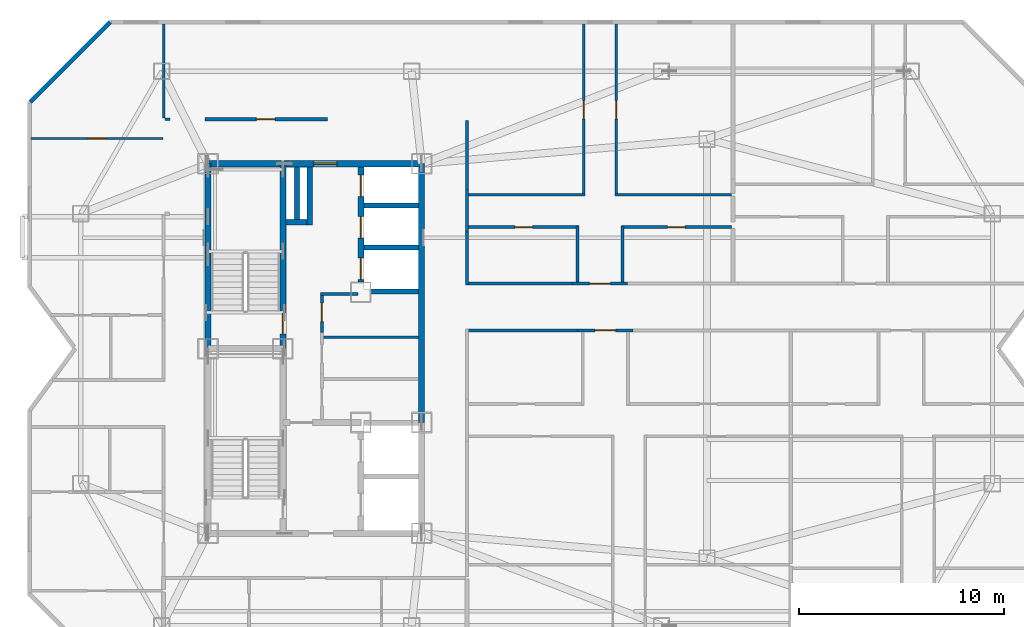
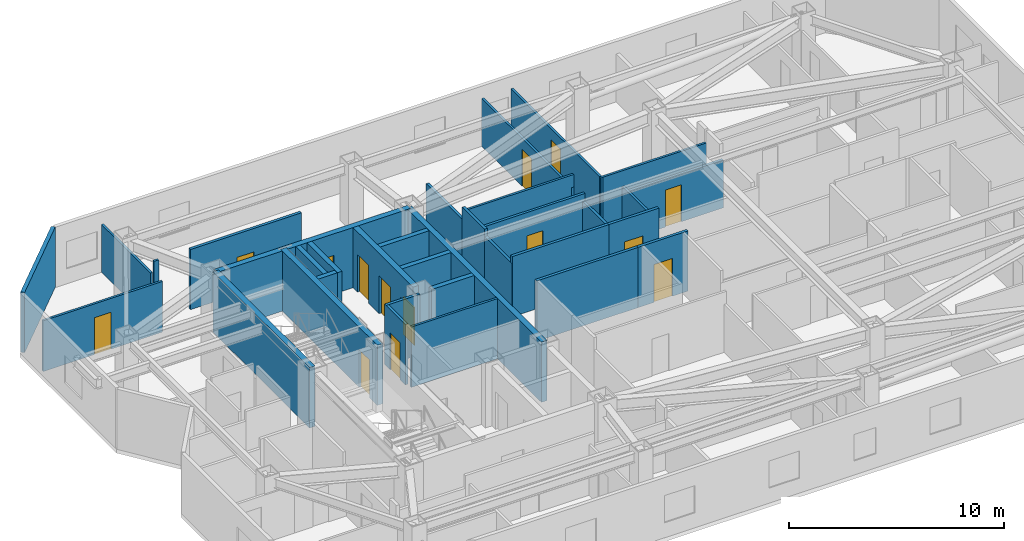
# One storey, part 6 of 9: 34 walls, 14 doors, 14 openings.
"""IFC4 building model written with IfcOpenShell, lengths in metres."""

from ifc_helpers import new_model, si_unit, direction, frame, frame_2d, origin, place, context, subcontext, project, spatial, rectangle, extrude, material, layer, layer_set, type_object, element, fill, save


model = new_model("IFC4")

# Units and contexts
model_context = context("Model", 3, precision=1e-05, world=origin(), true_north=direction((0.0, 1.0)))
body_context = subcontext(model_context, "Body", "Model", "MODEL_VIEW")
ifc_project = project(units=[si_unit("LENGTHUNIT", "METRE"), si_unit("AREAUNIT", "SQUARE_METRE"), si_unit("VOLUMEUNIT", "CUBIC_METRE"), si_unit("PLANEANGLEUNIT", "RADIAN"), si_unit("MASSUNIT", "GRAM", prefix="KILO")], contexts=[model_context])

# Site, building, storey
site_placement = place(None, origin())
site = spatial("IfcSite", under=ifc_project, at=site_placement, CompositionType="ELEMENT")
building_placement = place(site_placement, origin())
building = spatial("IfcBuilding", under=site, at=building_placement, Name="Khamvora Tower", CompositionType="ELEMENT")
storey_placement = place(building_placement, frame((0.0, 0.0, 235.449951171875)))
storey = spatial("IfcBuildingStorey", under=building, at=storey_placement, Name="L60", CompositionType="ELEMENT", Elevation=235.449951171875)

# Wall
ifc_material_1 = material(Name="Concrete C50/60", Category="concrete")
ifc_layer_1 = layer(ifc_material_1, 0.300048828125)
ifc_layer_set_1 = layer_set([ifc_layer_1], Name="Concrete C50/60")
wall_type_1 = type_object("IfcWallType", Name="WAL-CORE-300", PredefinedType="SHEAR", material=ifc_layer_set_1)
wall_1_placement = place(storey_placement, frame((29.0, 28.0, 0.0), z_axis=(0.0, 0.0, 1.0), x_axis=(0.0, 1.0, 0.0)))
element("IfcWall", 1, at=wall_1_placement, inside=storey, type_object=wall_type_1, Name="L60 central core west north wall", PredefinedType="SHEAR", context=body_context, shape_type="SweptSolid", body=[
    extrude(rectangle(XDim=9.0, YDim=0.300048828125, at=frame_2d((4.5, 0.0))), origin(), (0.0, 0.0, 1.0), 3.429931640625),
])

# Wall, opening, door
wall_2_placement = place(storey_placement, frame((29.0, 37.0, 0.0), z_axis=(0.0, 0.0, 1.0), x_axis=(1.0, 0.0, 0.0)))
wall_2 = element("IfcWall", 2, at=wall_2_placement, inside=storey, type_object=wall_type_1, Name="L60 central core north wall", PredefinedType="SHEAR", context=body_context, shape_type="SweptSolid", body=[
    extrude(rectangle(XDim=10.39990234375, YDim=0.300048828125, at=frame_2d((5.199951171875, 0.0))), origin(), (0.0, 0.0, 1.0), 3.429931640625),
])
opening_1_placement = place(wall_2_placement, frame((5.139892578125, 0.0, 0.0)))
opening_1 = element("IfcOpeningElement", 3, at=opening_1_placement, cuts=wall_2, Name="Opening D-SC1", PredefinedType="OPENING", context=body_context, shape_type="SweptSolid", body=[
    extrude(rectangle(XDim=1.14990234375, YDim=2.199951171875, at=frame_2d((0.574951171875, 1.10009765625))), frame((0.0, 0.159912109375, 0.0), z_axis=(0.0, -1.0, 0.0), x_axis=(1.0, 0.0, 0.0)), (0.0, 0.0, 1.0), 0.320068359375),
])
ifc_material_2 = material(Name="Powder-Coated Steel and Hardwood Leaf", Category="steel")
door_type_1 = type_object("IfcDoorType", Name="DOR-SCHL-1150", OperationType="NOTDEFINED", PredefinedType="DOOR", material=ifc_material_2)
door_1_placement = place(opening_1_placement, origin())
door_1 = element("IfcDoor", 4, at=door_1_placement, inside=storey, type_object=door_type_1, Name="L60 north core lobby to corridor fire door", OperationType="SINGLE_SWING_LEFT", OverallHeight=2.199951171875, OverallWidth=1.14990234375, PredefinedType="DOOR", context=body_context, shape_type="SweptSolid", body=[
    extrude(rectangle(XDim=1.14990234375, YDim=2.199951171875, at=frame_2d((0.574951171875, 1.10009765625))), frame((0.0, 0.02490234375, 0.0), z_axis=(0.0, -1.0, 0.0), x_axis=(1.0, 0.0, 0.0)), (0.0, 0.0, 1.0), 0.050048828125),
])
fill(opening_1, door_1)

# Wall
wall_3_placement = place(storey_placement, frame((39.39990234375, 24.39990234375, 0.0), z_axis=(0.0, 0.0, 1.0), x_axis=(0.0, 1.0, 0.0)))
element("IfcWall", 5, at=wall_3_placement, inside=storey, type_object=wall_type_1, Name="L60 central core east north wall", PredefinedType="SHEAR", context=body_context, shape_type="SweptSolid", body=[
    extrude(rectangle(XDim=12.60009765625, YDim=0.300048828125, at=frame_2d((6.300048828125, 0.0))), origin(), (0.0, 0.0, 1.0), 3.429931640625),
])

# Wall, opening, door
wall_4_placement = place(storey_placement, frame((32.64990234375, 28.0, 0.0), z_axis=(0.0, 0.0, 1.0), x_axis=(0.0, 1.0, 0.0)))
wall_4 = element("IfcWall", 6, at=wall_4_placement, inside=storey, type_object=wall_type_1, Name="L60 central core stair north spine wall", PredefinedType="SHEAR", context=body_context, shape_type="SweptSolid", body=[
    extrude(rectangle(XDim=9.0, YDim=0.300048828125, at=frame_2d((4.5, 0.0))), origin(), (0.0, 0.0, 1.0), 3.429931640625),
])
opening_2_placement = place(wall_4_placement, frame((0.719970703125, 0.0, 0.0)))
opening_2 = element("IfcOpeningElement", 7, at=opening_2_placement, cuts=wall_4, Name="Opening D-ST1", PredefinedType="OPENING", context=body_context, shape_type="SweptSolid", body=[
    extrude(rectangle(XDim=1.0, YDim=2.14990234375, at=frame_2d((0.5, 1.074951171875))), frame((0.0, 0.159912109375, 0.0), z_axis=(0.0, -1.0, 0.0), x_axis=(1.0, 0.0, 0.0)), (0.0, 0.0, 1.0), 0.320068359375),
])
door_type_2 = type_object("IfcDoorType", Name="DOR-STAIR-1000", OperationType="NOTDEFINED", PredefinedType="DOOR", material=ifc_material_2)
door_2_placement = place(opening_2_placement, origin())
door_2 = element("IfcDoor", 8, at=door_2_placement, inside=storey, type_object=door_type_2, Name="L60 exit stair ST-02 fire door", OperationType="SINGLE_SWING_RIGHT", OverallHeight=2.14990234375, OverallWidth=1.0, PredefinedType="DOOR", context=body_context, shape_type="SweptSolid", body=[
    extrude(rectangle(XDim=1.0, YDim=2.14990234375, at=frame_2d((0.5, 1.074951171875))), frame((0.0, 0.02490234375, 0.0), z_axis=(0.0, -1.0, 0.0), x_axis=(1.0, 0.0, 0.0)), (0.0, 0.0, 1.0), 0.050048828125),
])
fill(opening_2, door_2)

# Wall, openings, doors
wall_5_placement = place(storey_placement, frame((36.449951171875, 31.25, 0.0), z_axis=(0.0, 0.0, 1.0), x_axis=(0.0, 1.0, 0.0)))
wall_5 = element("IfcWall", 9, at=wall_5_placement, inside=storey, type_object=wall_type_1, Name="L60 central core lift bank central wall", PredefinedType="SHEAR", context=body_context, shape_type="SweptSolid", body=[
    extrude(rectangle(XDim=5.595947265625, YDim=0.300048828125, at=frame_2d((2.7978515625, 0.0))), origin(), (0.0, 0.0, 1.0), 3.429931640625),
])
opening_3_placement = place(wall_5_placement, frame((0.1201171875, 0.0, 0.0)))
opening_3 = element("IfcOpeningElement", 10, at=opening_3_placement, cuts=wall_5, Name="Opening LD-PL", PredefinedType="OPENING", context=body_context, shape_type="SweptSolid", body=[
    extrude(rectangle(XDim=1.050048828125, YDim=2.14990234375, at=frame_2d((0.52490234375, 1.074951171875))), frame((0.0, 0.159912109375, 0.0), z_axis=(0.0, -1.0, 0.0), x_axis=(1.0, 0.0, 0.0)), (0.0, 0.0, 1.0), 0.320068359375),
])
opening_4_placement = place(wall_5_placement, frame((2.125, 0.0, 0.0)))
opening_4 = element("IfcOpeningElement", 11, at=opening_4_placement, cuts=wall_5, Name="Opening LD-PL", PredefinedType="OPENING", context=body_context, shape_type="SweptSolid", body=[
    extrude(rectangle(XDim=1.050048828125, YDim=2.14990234375, at=frame_2d((0.52490234375, 1.074951171875))), frame((0.0, 0.159912109375, 0.0), z_axis=(0.0, -1.0, 0.0), x_axis=(1.0, 0.0, 0.0)), (0.0, 0.0, 1.0), 0.320068359375),
])
opening_5_placement = place(wall_5_placement, frame((4.14501953125, 0.0, 0.0)))
opening_5 = element("IfcOpeningElement", 12, at=opening_5_placement, cuts=wall_5, Name="Opening LD-PL", PredefinedType="OPENING", context=body_context, shape_type="SweptSolid", body=[
    extrude(rectangle(XDim=1.050048828125, YDim=2.14990234375, at=frame_2d((0.52490234375, 1.074951171875))), frame((0.0, 0.159912109375, 0.0), z_axis=(0.0, -1.0, 0.0), x_axis=(1.0, 0.0, 0.0)), (0.0, 0.0, 1.0), 0.320068359375),
])
door_type_3 = type_object("IfcDoorType", Name="DOR-LIFT-1050", OperationType="SLIDING_TO_LEFT", PredefinedType="DOOR", material=ifc_material_2)
door_3_placement = place(opening_3_placement, origin())
door_3 = element("IfcDoor", 13, at=door_3_placement, inside=storey, type_object=door_type_3, Name="L60 lift landing sliding door PH-01", OperationType="SLIDING_TO_LEFT", OverallHeight=2.14990234375, OverallWidth=1.050048828125, PredefinedType="DOOR", context=body_context, shape_type="SweptSolid", body=[
    extrude(rectangle(XDim=1.050048828125, YDim=2.14990234375, at=frame_2d((0.52490234375, 1.074951171875))), frame((0.0, 0.02490234375, 0.0), z_axis=(0.0, -1.0, 0.0), x_axis=(1.0, 0.0, 0.0)), (0.0, 0.0, 1.0), 0.050048828125),
])
fill(opening_3, door_3)
door_4_placement = place(opening_4_placement, origin())
door_4 = element("IfcDoor", 14, at=door_4_placement, inside=storey, type_object=door_type_3, Name="L60 lift landing sliding door PH-02", OperationType="SLIDING_TO_LEFT", OverallHeight=2.14990234375, OverallWidth=1.050048828125, PredefinedType="DOOR", context=body_context, shape_type="SweptSolid", body=[
    extrude(rectangle(XDim=1.050048828125, YDim=2.14990234375, at=frame_2d((0.52490234375, 1.074951171875))), frame((0.0, 0.02490234375, 0.0), z_axis=(0.0, -1.0, 0.0), x_axis=(1.0, 0.0, 0.0)), (0.0, 0.0, 1.0), 0.050048828125),
])
fill(opening_4, door_4)
door_5_placement = place(opening_5_placement, origin())
door_5 = element("IfcDoor", 15, at=door_5_placement, inside=storey, type_object=door_type_3, Name="L60 lift landing sliding door PH-03", OperationType="SLIDING_TO_LEFT", OverallHeight=2.14990234375, OverallWidth=1.050048828125, PredefinedType="DOOR", context=body_context, shape_type="SweptSolid", body=[
    extrude(rectangle(XDim=1.050048828125, YDim=2.14990234375, at=frame_2d((0.52490234375, 1.074951171875))), frame((0.0, 0.02490234375, 0.0), z_axis=(0.0, -1.0, 0.0), x_axis=(1.0, 0.0, 0.0)), (0.0, 0.0, 1.0), 0.050048828125),
])
fill(opening_5, door_5)

# Wall
ifc_material_3 = material(Name="Fire-Rated Drywall and Steel Stud", Category="steel")
ifc_layer_2 = layer(ifc_material_3, 0.14990234375)
ifc_layer_set_2 = layer_set([ifc_layer_2], Name="Fire-Rated Drywall and Steel Stud")
wall_type_2 = type_object("IfcWallType", Name="WAL-CORR-150", PredefinedType="STANDARD", material=ifc_layer_set_2)
wall_6_placement = place(storey_placement, frame((36.300048828125, 30.6650390625, 0.0), z_axis=(0.0, 0.0, 1.0), x_axis=(-1.0, 0.0, 0.0)))
element("IfcWall", 16, at=wall_6_placement, inside=storey, type_object=wall_type_2, Name="L60 interior partition wall 003", PredefinedType="STANDARD", context=body_context, shape_type="SweptSolid", body=[
    extrude(rectangle(XDim=1.820068359375, YDim=0.14990234375, at=frame_2d((0.91015625, 0.0))), origin(), (0.0, 0.0, 1.0), 3.429931640625),
])

# Wall, opening, door
wall_7_placement = place(storey_placement, frame((34.544921875, 30.72998046875, 0.0), z_axis=(0.0, 0.0, 1.0), x_axis=(0.0, -1.0, 0.0)))
wall_7 = element("IfcWall", 17, at=wall_7_placement, inside=storey, type_object=wall_type_2, Name="L60 interior partition wall 004", PredefinedType="STANDARD", context=body_context, shape_type="SweptSolid", body=[
    extrude(rectangle(XDim=1.93603515625, YDim=0.14990234375, at=frame_2d((0.968017578125, 0.0))), origin(), (0.0, 0.0, 1.0), 3.429931640625),
])
opening_6_placement = place(wall_7_placement, frame((0.51806640625, 0.0, 0.0)))
opening_6 = element("IfcOpeningElement", 18, at=opening_6_placement, cuts=wall_7, Name="Opening D-RM1", PredefinedType="OPENING", context=body_context, shape_type="SweptSolid", body=[
    extrude(rectangle(XDim=0.89990234375, YDim=2.10009765625, at=frame_2d((0.449951171875, 1.050048828125))), frame((0.0, 0.0849609375, 0.0), z_axis=(0.0, -1.0, 0.0), x_axis=(1.0, 0.0, 0.0)), (0.0, 0.0, 1.0), 0.169921875),
])
door_type_4 = type_object("IfcDoorType", Name="DOR-ROOM-900", OperationType="NOTDEFINED", PredefinedType="DOOR", material=ifc_material_2)
door_6_placement = place(opening_6_placement, origin())
door_6 = element("IfcDoor", 19, at=door_6_placement, inside=storey, type_object=door_type_4, Name="L60 interior door PHL-CS3", OperationType="SINGLE_SWING_RIGHT", OverallHeight=2.10009765625, OverallWidth=0.89990234375, PredefinedType="DOOR", context=body_context, shape_type="SweptSolid", body=[
    extrude(rectangle(XDim=0.89990234375, YDim=2.10009765625, at=frame_2d((0.449951171875, 1.050048828125))), frame((0.0, 0.02490234375, 0.0), z_axis=(0.0, -1.0, 0.0), x_axis=(1.0, 0.0, 0.0)), (0.0, 0.0, 1.0), 0.050048828125),
])
fill(opening_6, door_6)

wall_8_placement = place(storey_placement, frame((28.85009765625, 39.1650390625, 0.0), z_axis=(0.0, 0.0, 1.0), x_axis=(1.0, 0.0, 0.0)))
wall_8 = element("IfcWall", 20, at=wall_8_placement, inside=storey, type_object=wall_type_2, Name="L60 interior partition wall 007", PredefinedType="STANDARD", context=body_context, shape_type="SweptSolid", body=[
    extrude(rectangle(XDim=5.9638671875, YDim=0.14990234375, at=frame_2d((2.98193359375, 0.0))), origin(), (0.0, 0.0, 1.0), 3.429931640625),
])
opening_7_placement = place(wall_8_placement, frame((2.510986328125, 0.0, 0.0)))
opening_7 = element("IfcOpeningElement", 21, at=opening_7_placement, cuts=wall_8, Name="Opening D-RM1", PredefinedType="OPENING", context=body_context, shape_type="SweptSolid", body=[
    extrude(rectangle(XDim=0.89990234375, YDim=2.10009765625, at=frame_2d((0.449951171875, 1.050048828125))), frame((0.0, 0.0849609375, 0.0), z_axis=(0.0, -1.0, 0.0), x_axis=(1.0, 0.0, 0.0)), (0.0, 0.0, 1.0), 0.169921875),
])
door_7_placement = place(opening_7_placement, origin())
door_7 = element("IfcDoor", 22, at=door_7_placement, inside=storey, type_object=door_type_4, Name="L60 interior door COR-RPLY", OperationType="SINGLE_SWING_LEFT", OverallHeight=2.10009765625, OverallWidth=0.89990234375, PredefinedType="DOOR", context=body_context, shape_type="SweptSolid", body=[
    extrude(rectangle(XDim=0.89990234375, YDim=2.10009765625, at=frame_2d((0.449951171875, 1.050048828125))), frame((0.0, 0.02490234375, 0.0), z_axis=(0.0, -1.0, 0.0), x_axis=(1.0, 0.0, 0.0)), (0.0, 0.0, 1.0), 0.050048828125),
])
fill(opening_7, door_7)

wall_9_placement = place(storey_placement, frame((49.698974609375, 28.885009765625, 0.0), z_axis=(0.0, 0.0, 1.0), x_axis=(-1.0, 0.0, 0.0)))
wall_9 = element("IfcWall", 23, at=wall_9_placement, inside=storey, type_object=wall_type_2, Name="L60 interior partition wall 020", PredefinedType="STANDARD", context=body_context, shape_type="SweptSolid", body=[
    extrude(rectangle(XDim=2.697998046875, YDim=0.14990234375, at=frame_2d((1.34912109375, 0.0))), origin(), (0.0, 0.0, 1.0), 3.429931640625),
])
opening_8_placement = place(wall_9_placement, frame((0.84912109375, 0.0, 0.0)))
opening_8 = element("IfcOpeningElement", 24, at=opening_8_placement, cuts=wall_9, Name="Opening D-U1", PredefinedType="OPENING", context=body_context, shape_type="SweptSolid", body=[
    extrude(rectangle(XDim=1.0, YDim=2.14990234375, at=frame_2d((0.5, 1.074951171875))), frame((0.0, 0.0849609375, 0.0), z_axis=(0.0, -1.0, 0.0), x_axis=(1.0, 0.0, 0.0)), (0.0, 0.0, 1.0), 0.169921875),
])
door_type_5 = type_object("IfcDoorType", Name="DOR-UNIT-1000", OperationType="NOTDEFINED", PredefinedType="DOOR", material=ifc_material_2)
door_8_placement = place(opening_8_placement, origin())
door_8 = element("IfcDoor", 25, at=door_8_placement, inside=storey, type_object=door_type_5, Name="L60 interior door COR-60EAH", OperationType="SINGLE_SWING_LEFT", OverallHeight=2.14990234375, OverallWidth=1.0, PredefinedType="DOOR", context=body_context, shape_type="SweptSolid", body=[
    extrude(rectangle(XDim=1.0, YDim=2.14990234375, at=frame_2d((0.5, 1.074951171875))), frame((0.0, 0.02490234375, 0.0), z_axis=(0.0, -1.0, 0.0), x_axis=(1.0, 0.0, 0.0)), (0.0, 0.0, 1.0), 0.050048828125),
])
fill(opening_8, door_8)

# Walls
wall_10_placement = place(storey_placement, frame((47.0009765625, 28.885009765625, 0.0), z_axis=(0.0, 0.0, 1.0), x_axis=(-1.0, 0.0, 0.0)))
element("IfcWall", 26, at=wall_10_placement, inside=storey, type_object=wall_type_2, Name="L60 interior partition wall 022", PredefinedType="STANDARD", context=body_context, shape_type="SweptSolid", body=[
    extrude(rectangle(XDim=5.450927734375, YDim=0.14990234375, at=frame_2d((2.7255859375, 0.0))), origin(), (0.0, 0.0, 1.0), 3.429931640625),
])
wall_11_placement = place(storey_placement, frame((41.614990234375, 35.742919921875, 0.0), z_axis=(0.0, 0.0, 1.0), x_axis=(0.0, -1.0, 0.0)))
element("IfcWall", 27, at=wall_11_placement, inside=storey, type_object=wall_type_2, Name="L60 interior partition wall 030", PredefinedType="STANDARD", context=body_context, shape_type="SweptSolid", body=[
    extrude(rectangle(XDim=2.077880859375, YDim=0.14990234375, at=frame_2d((1.0390625, 0.0))), origin(), (0.0, 0.0, 1.0), 3.429931640625),
])

# Wall, opening, door
wall_12_placement = place(storey_placement, frame((46.740966796875, 31.1650390625, 0.0), z_axis=(0.0, 0.0, 1.0), x_axis=(1.0, 0.0, 0.0)))
wall_12 = element("IfcWall", 28, at=wall_12_placement, inside=storey, type_object=wall_type_2, Name="L60 interior partition wall 031", PredefinedType="STANDARD", context=body_context, shape_type="SweptSolid", body=[
    extrude(rectangle(XDim=2.697998046875, YDim=0.14990234375, at=frame_2d((1.34912109375, 0.0))), origin(), (0.0, 0.0, 1.0), 3.429931640625),
])
opening_9_placement = place(wall_12_placement, frame((0.84912109375, 0.0, 0.0)))
opening_9 = element("IfcOpeningElement", 29, at=opening_9_placement, cuts=wall_12, Name="Opening D-U1", PredefinedType="OPENING", context=body_context, shape_type="SweptSolid", body=[
    extrude(rectangle(XDim=1.0, YDim=2.14990234375, at=frame_2d((0.5, 1.074951171875))), frame((0.0, 0.0849609375, 0.0), z_axis=(0.0, -1.0, 0.0), x_axis=(1.0, 0.0, 0.0)), (0.0, 0.0, 1.0), 0.169921875),
])
door_9_placement = place(opening_9_placement, origin())
door_9 = element("IfcDoor", 30, at=door_9_placement, inside=storey, type_object=door_type_5, Name="L60 interior door COR-60EC1H", OperationType="SINGLE_SWING_LEFT", OverallHeight=2.14990234375, OverallWidth=1.0, PredefinedType="DOOR", context=body_context, shape_type="SweptSolid", body=[
    extrude(rectangle(XDim=1.0, YDim=2.14990234375, at=frame_2d((0.5, 1.074951171875))), frame((0.0, 0.02490234375, 0.0), z_axis=(0.0, -1.0, 0.0), x_axis=(1.0, 0.0, 0.0)), (0.0, 0.0, 1.0), 0.050048828125),
])
fill(opening_9, door_9)

# Walls
wall_13_placement = place(storey_placement, frame((41.614990234375, 33.6650390625, 0.0), z_axis=(0.0, 0.0, 1.0), x_axis=(0.0, -1.0, 0.0)))
element("IfcWall", 31, at=wall_13_placement, inside=storey, type_object=wall_type_2, Name="L60 interior partition wall 032", PredefinedType="STANDARD", context=body_context, shape_type="SweptSolid", body=[
    extrude(rectangle(XDim=2.56494140625, YDim=0.14990234375, at=frame_2d((1.282470703125, 0.0))), origin(), (0.0, 0.0, 1.0), 3.012939453125),
])
wall_14_placement = place(storey_placement, frame((41.550048828125, 31.1650390625, 0.0), z_axis=(0.0, 0.0, 1.0), x_axis=(1.0, 0.0, 0.0)))
element("IfcWall", 32, at=wall_14_placement, inside=storey, type_object=wall_type_2, Name="L60 interior partition wall 033", PredefinedType="STANDARD", context=body_context, shape_type="SweptSolid", body=[
    extrude(rectangle(XDim=5.19091796875, YDim=0.14990234375, at=frame_2d((2.595458984375, 0.0))), origin(), (0.0, 0.0, 1.0), 3.429931640625),
])
wall_15_placement = place(storey_placement, frame((41.614990234375, 39.10009765625, 0.0), z_axis=(0.0, 0.0, 1.0), x_axis=(0.0, -1.0, 0.0)))
element("IfcWall", 33, at=wall_15_placement, inside=storey, type_object=wall_type_2, Name="L60 interior partition wall 035", PredefinedType="STANDARD", context=body_context, shape_type="SweptSolid", body=[
    extrude(rectangle(XDim=3.357177734375, YDim=0.14990234375, at=frame_2d((1.6787109375, 0.0))), origin(), (0.0, 0.0, 1.0), 2.72509765625),
])
ifc_material_4 = material(Name="Precast concrete C40/50", Category="concrete")
ifc_layer_3 = layer(ifc_material_4, 0.199951171875)
ifc_layer_set_3 = layer_set([ifc_layer_3], Name="Precast concrete C40/50")
wall_type_3 = type_object("IfcWallType", Name="WAL-EXT-200", PredefinedType="STANDARD", material=ifc_layer_set_3)
wall_16_placement = place(storey_placement, frame((20.343994140625, 40.0029296875, 0.0), z_axis=(0.0, 0.0, 1.0), x_axis=(0.707106781187, 0.707106781187, 0.0)))
element("IfcWall", 34, at=wall_16_placement, inside=storey, type_object=wall_type_3, Name="L60 exterior facade wall 06.1", PredefinedType="STANDARD", context=body_context, shape_type="SweptSolid", body=[
    extrude(rectangle(XDim=5.51123046875, YDim=0.199951171875, at=frame_2d((2.755615234375, 0.0))), origin(), (0.0, 0.0, 1.0), 3.429931640625),
])
ifc_material_5 = material(Name="Gypsum Plasterboard Partition", Category="gypsum")
ifc_layer_4 = layer(ifc_material_5, 0.1201171875)
ifc_layer_set_4 = layer_set([ifc_layer_4], Name="Gypsum Plasterboard Partition")
wall_type_4 = type_object("IfcWallType", Name="WAL-PART-120", PredefinedType="PARTITIONING", material=ifc_layer_set_4)
wall_17_placement = place(storey_placement, frame((34.612060546875, 28.544921875, 0.0), z_axis=(0.0, 0.0, 1.0), x_axis=(1.0, 0.0, 0.0)))
element("IfcWall", 35, at=wall_17_placement, inside=storey, type_object=wall_type_4, Name="L60 interior partition wall 006", PredefinedType="PARTITIONING", context=body_context, shape_type="SweptSolid", body=[
    extrude(rectangle(XDim=4.64404296875, YDim=0.1201171875, at=frame_2d((2.322021484375, 0.0))), origin(), (0.0, 0.0, 1.0), 3.429931640625),
])
wall_18_placement = place(storey_placement, frame((27.14990234375, 39.1650390625, 0.0), z_axis=(0.0, 0.0, 1.0), x_axis=(-1.0, 0.0, 0.0)))
element("IfcWall", 36, at=wall_18_placement, inside=storey, type_object=wall_type_4, Name="L60 interior partition wall 039", PredefinedType="PARTITIONING", context=body_context, shape_type="SweptSolid", body=[
    extrude(rectangle(XDim=0.25, YDim=0.1201171875, at=frame_2d((0.125, 0.0))), origin(), (0.0, 0.0, 1.0), 3.429931640625),
])
wall_19_placement = place(storey_placement, frame((26.8349609375, 39.22998046875, 0.0), z_axis=(0.0, 0.0, 1.0), x_axis=(0.0, 1.0, 0.0)))
element("IfcWall", 37, at=wall_19_placement, inside=storey, type_object=wall_type_4, Name="L60 interior partition wall 040", PredefinedType="PARTITIONING", context=body_context, shape_type="SweptSolid", body=[
    extrude(rectangle(XDim=4.578125, YDim=0.1201171875, at=frame_2d((2.2890625, 0.0))), origin(), (0.0, 0.0, 1.0), 2.72509765625),
])

# Wall, opening, door
wall_20_placement = place(storey_placement, frame((20.39208984375, 38.22998046875, 0.0), z_axis=(0.0, 0.0, 1.0), x_axis=(1.0, 0.0, 0.0)))
wall_20 = element("IfcWall", 38, at=wall_20_placement, inside=storey, type_object=wall_type_4, Name="L60 interior partition wall 050", PredefinedType="PARTITIONING", context=body_context, shape_type="SweptSolid", body=[
    extrude(rectangle(XDim=6.41796875, YDim=0.1201171875, at=frame_2d((3.208984375, 0.0))), origin(), (0.0, 0.0, 1.0), 2.886962890625),
])
opening_10_placement = place(wall_20_placement, frame((2.759033203125, 0.0, 0.0)))
opening_10 = element("IfcOpeningElement", 39, at=opening_10_placement, cuts=wall_20, Name="Opening D-RM1", PredefinedType="OPENING", context=body_context, shape_type="SweptSolid", body=[
    extrude(rectangle(XDim=0.89990234375, YDim=2.10009765625, at=frame_2d((0.449951171875, 1.050048828125))), frame((0.0, 0.070068359375, 0.0), z_axis=(0.0, -1.0, 0.0), x_axis=(1.0, 0.0, 0.0)), (0.0, 0.0, 1.0), 0.14013671875),
])
door_10_placement = place(opening_10_placement, origin())
door_10 = element("IfcDoor", 40, at=door_10_placement, inside=storey, type_object=door_type_4, Name="L60 interior door 60WBH-60WBR1", OperationType="SINGLE_SWING_LEFT", OverallHeight=2.10009765625, OverallWidth=0.89990234375, PredefinedType="DOOR", context=body_context, shape_type="SweptSolid", body=[
    extrude(rectangle(XDim=0.89990234375, YDim=2.10009765625, at=frame_2d((0.449951171875, 1.050048828125))), frame((0.0, 0.02490234375, 0.0), z_axis=(0.0, -1.0, 0.0), x_axis=(1.0, 0.0, 0.0)), (0.0, 0.0, 1.0), 0.050048828125),
])
fill(opening_10, door_10)

wall_21_placement = place(storey_placement, frame((47.304931640625, 35.428955078125, 0.0), z_axis=(0.0, 0.0, 1.0), x_axis=(0.0, 1.0, 0.0)))
wall_21 = element("IfcWall", 41, at=wall_21_placement, inside=storey, type_object=wall_type_4, Name="L60 interior partition wall 089", PredefinedType="PARTITIONING", context=body_context, shape_type="SweptSolid", body=[
    extrude(rectangle(XDim=8.379150390625, YDim=0.1201171875, at=frame_2d((4.189453125, 0.0))), origin(), (0.0, 0.0, 1.0), 2.72509765625),
])
opening_11_placement = place(wall_21_placement, frame((3.739013671875, 0.0, 0.0)))
opening_11 = element("IfcOpeningElement", 42, at=opening_11_placement, cuts=wall_21, Name="Opening D-RM1", PredefinedType="OPENING", context=body_context, shape_type="SweptSolid", body=[
    extrude(rectangle(XDim=0.89990234375, YDim=2.10009765625, at=frame_2d((0.449951171875, 1.050048828125))), frame((0.0, 0.070068359375, 0.0), z_axis=(0.0, -1.0, 0.0), x_axis=(1.0, 0.0, 0.0)), (0.0, 0.0, 1.0), 0.14013671875),
])
door_11_placement = place(opening_11_placement, origin())
door_11 = element("IfcDoor", 43, at=door_11_placement, inside=storey, type_object=door_type_4, Name="L60 interior door 60EC1H-60EC1R1", OperationType="SINGLE_SWING_RIGHT", OverallHeight=2.10009765625, OverallWidth=0.89990234375, PredefinedType="DOOR", context=body_context, shape_type="SweptSolid", body=[
    extrude(rectangle(XDim=0.89990234375, YDim=2.10009765625, at=frame_2d((0.449951171875, 1.050048828125))), frame((0.0, 0.02490234375, 0.0), z_axis=(0.0, -1.0, 0.0), x_axis=(1.0, 0.0, 0.0)), (0.0, 0.0, 1.0), 0.050048828125),
])
fill(opening_11, door_11)

# Wall
wall_22_placement = place(storey_placement, frame((41.681884765625, 35.493896484375, 0.0), z_axis=(0.0, 0.0, 1.0), x_axis=(1.0, 0.0, 0.0)))
element("IfcWall", 44, at=wall_22_placement, inside=storey, type_object=wall_type_4, Name="L60 interior partition wall 090", PredefinedType="PARTITIONING", context=body_context, shape_type="SweptSolid", body=[
    extrude(rectangle(XDim=5.688232421875, YDim=0.1201171875, at=frame_2d((2.84423828125, 0.0))), origin(), (0.0, 0.0, 1.0), 3.429931640625),
])

# Wall, opening, door
wall_23_placement = place(storey_placement, frame((48.875, 43.80810546875, 0.0), z_axis=(0.0, 0.0, 1.0), x_axis=(0.0, -1.0, 0.0)))
wall_23 = element("IfcWall", 45, at=wall_23_placement, inside=storey, type_object=wall_type_4, Name="L60 interior partition wall 091", PredefinedType="PARTITIONING", context=body_context, shape_type="SweptSolid", body=[
    extrude(rectangle(XDim=8.379150390625, YDim=0.1201171875, at=frame_2d((4.189453125, 0.0))), origin(), (0.0, 0.0, 1.0), 2.72509765625),
])
opening_12_placement = place(wall_23_placement, frame((3.739013671875, 0.0, 0.0)))
opening_12 = element("IfcOpeningElement", 46, at=opening_12_placement, cuts=wall_23, Name="Opening D-RM1", PredefinedType="OPENING", context=body_context, shape_type="SweptSolid", body=[
    extrude(rectangle(XDim=0.89990234375, YDim=2.10009765625, at=frame_2d((0.449951171875, 1.050048828125))), frame((0.0, 0.070068359375, 0.0), z_axis=(0.0, -1.0, 0.0), x_axis=(1.0, 0.0, 0.0)), (0.0, 0.0, 1.0), 0.14013671875),
])
door_12_placement = place(opening_12_placement, origin())
door_12 = element("IfcDoor", 47, at=door_12_placement, inside=storey, type_object=door_type_4, Name="L60 interior door 60EC1H-60EC1R2", OperationType="SINGLE_SWING_LEFT", OverallHeight=2.10009765625, OverallWidth=0.89990234375, PredefinedType="DOOR", context=body_context, shape_type="SweptSolid", body=[
    extrude(rectangle(XDim=0.89990234375, YDim=2.10009765625, at=frame_2d((0.449951171875, 1.050048828125))), frame((0.0, 0.02490234375, 0.0), z_axis=(0.0, -1.0, 0.0), x_axis=(1.0, 0.0, 0.0)), (0.0, 0.0, 1.0), 0.050048828125),
])
fill(opening_12, door_12)

# Walls
wall_24_placement = place(storey_placement, frame((48.81005859375, 35.493896484375, 0.0), z_axis=(0.0, 0.0, 1.0), x_axis=(1.0, 0.0, 0.0)))
element("IfcWall", 48, at=wall_24_placement, inside=storey, type_object=wall_type_4, Name="L60 interior partition wall 092", PredefinedType="PARTITIONING", context=body_context, shape_type="SweptSolid", body=[
    extrude(rectangle(XDim=5.68994140625, YDim=0.1201171875, at=frame_2d((2.844970703125, 0.0))), origin(), (0.0, 0.0, 1.0), 2.72509765625),
])
ifc_material_6 = material(Name="Concrete C40/50", Category="concrete")
ifc_layer_5 = layer(ifc_material_6, 0.25)
ifc_layer_set_5 = layer_set([ifc_layer_5], Name="Concrete C40/50")
wall_type_5 = type_object("IfcWallType", Name="WAL-PODS-250", PredefinedType="SHEAR", material=ifc_layer_set_5)
wall_25_placement = place(storey_placement, frame((36.9541015625, 30.77490234375, 0.0), z_axis=(0.0, 0.0, 1.0), x_axis=(1.0, 0.0, 0.0)))
element("IfcWall", 49, at=wall_25_placement, inside=storey, type_object=wall_type_5, Name="L60 high-rise lift shaft south enclosure wall PH-01", PredefinedType="SHEAR", context=body_context, shape_type="SweptSolid", body=[
    extrude(rectangle(XDim=2.2919921875, YDim=0.25, at=frame_2d((1.14599609375, 0.0))), origin(), (0.0, 0.0, 1.0), 3.429931640625),
])
for number, where, z_axis, x_axis, name in (
    (50, (36.60400390625, 32.925048828125, 0.0), (0.0, 0.0, 1.0), (1.0, 0.0, 0.0), "L60 lift shaft divider wall PH-01"),
    (51, (36.60400390625, 34.97509765625, 0.0), (0.0, 0.0, 1.0), (1.0, 0.0, 0.0), "L60 lift shaft divider wall PH-02"),
):
    element("IfcWall", number, at=place(storey_placement, frame(where, z_axis=z_axis, x_axis=x_axis)), inside=storey, type_object=wall_type_5, Name=name, PredefinedType="SHEAR", context=body_context, shape_type="SweptSolid", body=[
        extrude(rectangle(XDim=2.64208984375, YDim=0.25, at=frame_2d((1.321044921875, 0.0))), origin(), (0.0, 0.0, 1.0), 3.429931640625),
    ])
wall_26_placement = place(storey_placement, frame((33.955078125, 34.02490234375, 0.0), z_axis=(0.0, 0.0, 1.0), x_axis=(0.0, 1.0, 0.0)))
element("IfcWall", 52, at=wall_26_placement, inside=storey, type_object=wall_type_5, Name="L60 vertical MEP riser shaft east enclosure wall", PredefinedType="SHEAR", context=body_context, shape_type="SweptSolid", body=[
    extrude(rectangle(XDim=2.821044921875, YDim=0.25, at=frame_2d((1.41064453125, 0.0))), origin(), (0.0, 0.0, 1.0), 3.429931640625),
])
wall_27_placement = place(storey_placement, frame((32.803955078125, 34.14990234375, 0.0), z_axis=(0.0, 0.0, 1.0), x_axis=(1.0, 0.0, 0.0)))
element("IfcWall", 53, at=wall_27_placement, inside=storey, type_object=wall_type_5, Name="L60 vertical MEP riser shaft south enclosure wall", PredefinedType="SHEAR", context=body_context, shape_type="SweptSolid", body=[
    extrude(rectangle(XDim=1.02197265625, YDim=0.25, at=frame_2d((0.510986328125, 0.0))), origin(), (0.0, 0.0, 1.0), 3.429931640625),
])
wall_28_placement = place(storey_placement, frame((33.340087890625, 34.279052734375, 0.0), z_axis=(0.0, 0.0, 1.0), x_axis=(0.0, 1.0, 0.0)))
element("IfcWall", 54, at=wall_28_placement, inside=storey, type_object=wall_type_5, Name="L60 vertical MEP riser shaft divider enclosure wall", PredefinedType="SHEAR", context=body_context, shape_type="SweptSolid", body=[
    extrude(rectangle(XDim=2.56689453125, YDim=0.25, at=frame_2d((1.283447265625, 0.0))), origin(), (0.0, 0.0, 1.0), 3.429931640625),
])
ifc_material_7 = material(Name="Moisture-Resistant Plasterboard Partition", Category="gypsum")
ifc_layer_6 = layer(ifc_material_7, 0.135009765625)
ifc_layer_set_6 = layer_set([ifc_layer_6], Name="Moisture-Resistant Plasterboard Partition")
wall_type_6 = type_object("IfcWallType", Name="WAL-WET-135", PredefinedType="PARTITIONING", material=ifc_layer_set_6)
wall_29_placement = place(storey_placement, frame((46.989990234375, 31.22998046875, 0.0), z_axis=(0.0, 0.0, 1.0), x_axis=(0.0, 1.0, 0.0)))
element("IfcWall", 55, at=wall_29_placement, inside=storey, type_object=wall_type_6, Name="L60 interior partition wall 085", PredefinedType="PARTITIONING", context=body_context, shape_type="SweptSolid", body=[
    extrude(rectangle(XDim=2.7490234375, YDim=0.135009765625, at=frame_2d((1.37451171875, 0.0))), origin(), (0.0, 0.0, 1.0), 3.012939453125),
])

# Wall, opening, door
wall_30_placement = place(storey_placement, frame((47.054931640625, 33.9140625, 0.0), z_axis=(0.0, 0.0, 1.0), x_axis=(-1.0, 0.0, 0.0)))
wall_30 = element("IfcWall", 56, at=wall_30_placement, inside=storey, type_object=wall_type_6, Name="L60 interior partition wall 086", PredefinedType="PARTITIONING", context=body_context, shape_type="SweptSolid", body=[
    extrude(rectangle(XDim=5.373046875, YDim=0.135009765625, at=frame_2d((2.6865234375, 0.0))), origin(), (0.0, 0.0, 1.0), 3.429931640625),
])
opening_13_placement = place(wall_30_placement, frame((2.261962890625, 0.0, 0.0)))
opening_13 = element("IfcOpeningElement", 57, at=opening_13_placement, cuts=wall_30, Name="Opening D-WC1", PredefinedType="OPENING", context=body_context, shape_type="SweptSolid", body=[
    extrude(rectangle(XDim=0.85009765625, YDim=2.10009765625, at=frame_2d((0.425048828125, 1.050048828125))), frame((0.0, 0.077392578125, 0.0), z_axis=(0.0, -1.0, 0.0), x_axis=(1.0, 0.0, 0.0)), (0.0, 0.0, 1.0), 0.155029296875),
])
door_type_6 = type_object("IfcDoorType", Name="DOR-WET-850", OperationType="NOTDEFINED", PredefinedType="DOOR", material=ifc_material_2)
door_13_placement = place(opening_13_placement, origin())
door_13 = element("IfcDoor", 58, at=door_13_placement, inside=storey, type_object=door_type_6, Name="L60 interior door 60EC1H-60EC1B", OperationType="SINGLE_SWING_RIGHT", OverallHeight=2.10009765625, OverallWidth=0.85009765625, PredefinedType="DOOR", context=body_context, shape_type="SweptSolid", body=[
    extrude(rectangle(XDim=0.85009765625, YDim=2.10009765625, at=frame_2d((0.425048828125, 1.050048828125))), frame((0.0, 0.02490234375, 0.0), z_axis=(0.0, -1.0, 0.0), x_axis=(1.0, 0.0, 0.0)), (0.0, 0.0, 1.0), 0.050048828125),
])
fill(opening_13, door_13)

wall_31_placement = place(storey_placement, frame((54.5, 33.9140625, 0.0), z_axis=(0.0, 0.0, 1.0), x_axis=(-1.0, 0.0, 0.0)))
wall_31 = element("IfcWall", 59, at=wall_31_placement, inside=storey, type_object=wall_type_6, Name="L60 interior partition wall 087", PredefinedType="PARTITIONING", context=body_context, shape_type="SweptSolid", body=[
    extrude(rectangle(XDim=5.375, YDim=0.135009765625, at=frame_2d((2.6875, 0.0))), origin(), (0.0, 0.0, 1.0), 2.72509765625),
])
opening_14_placement = place(wall_31_placement, frame((2.262939453125, 0.0, 0.0)))
opening_14 = element("IfcOpeningElement", 60, at=opening_14_placement, cuts=wall_31, Name="Opening D-RM2", PredefinedType="OPENING", context=body_context, shape_type="SweptSolid", body=[
    extrude(rectangle(XDim=0.85009765625, YDim=2.10009765625, at=frame_2d((0.425048828125, 1.050048828125))), frame((0.0, 0.077392578125, 0.0), z_axis=(0.0, -1.0, 0.0), x_axis=(1.0, 0.0, 0.0)), (0.0, 0.0, 1.0), 0.155029296875),
])
door_type_7 = type_object("IfcDoorType", Name="DOR-ROOM-850", OperationType="NOTDEFINED", PredefinedType="DOOR", material=ifc_material_2)
door_14_placement = place(opening_14_placement, origin())
door_14 = element("IfcDoor", 61, at=door_14_placement, inside=storey, type_object=door_type_7, Name="L60 interior door 60EC1H-60EC1K", OperationType="SINGLE_SWING_LEFT", OverallHeight=2.10009765625, OverallWidth=0.85009765625, PredefinedType="DOOR", context=body_context, shape_type="SweptSolid", body=[
    extrude(rectangle(XDim=0.85009765625, YDim=2.10009765625, at=frame_2d((0.425048828125, 1.050048828125))), frame((0.0, 0.02490234375, 0.0), z_axis=(0.0, -1.0, 0.0), x_axis=(1.0, 0.0, 0.0)), (0.0, 0.0, 1.0), 0.050048828125),
])
fill(opening_14, door_14)

# Wall
wall_32_placement = place(storey_placement, frame((49.18994140625, 33.97900390625, 0.0), z_axis=(0.0, 0.0, 1.0), x_axis=(0.0, -1.0, 0.0)))
element("IfcWall", 62, at=wall_32_placement, inside=storey, type_object=wall_type_6, Name="L60 interior partition wall 088", PredefinedType="PARTITIONING", context=body_context, shape_type="SweptSolid", body=[
    extrude(rectangle(XDim=2.7490234375, YDim=0.135009765625, at=frame_2d((1.37451171875, 0.0))), origin(), (0.0, 0.0, 1.0), 3.012939453125),
])

save(model, "model.ifc")
